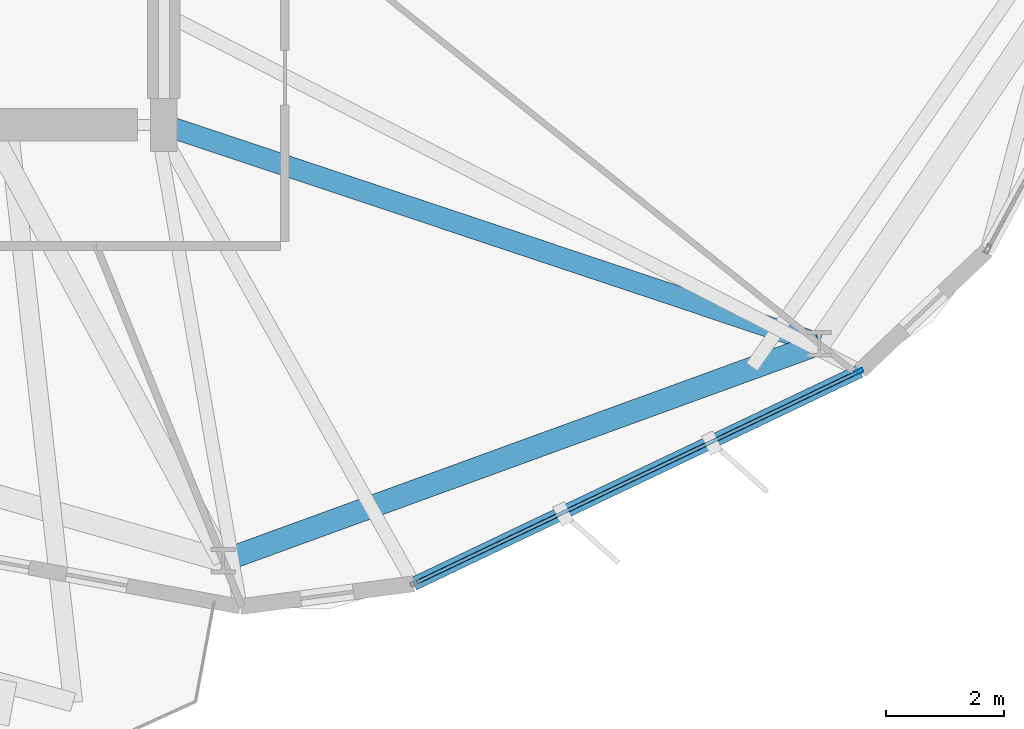
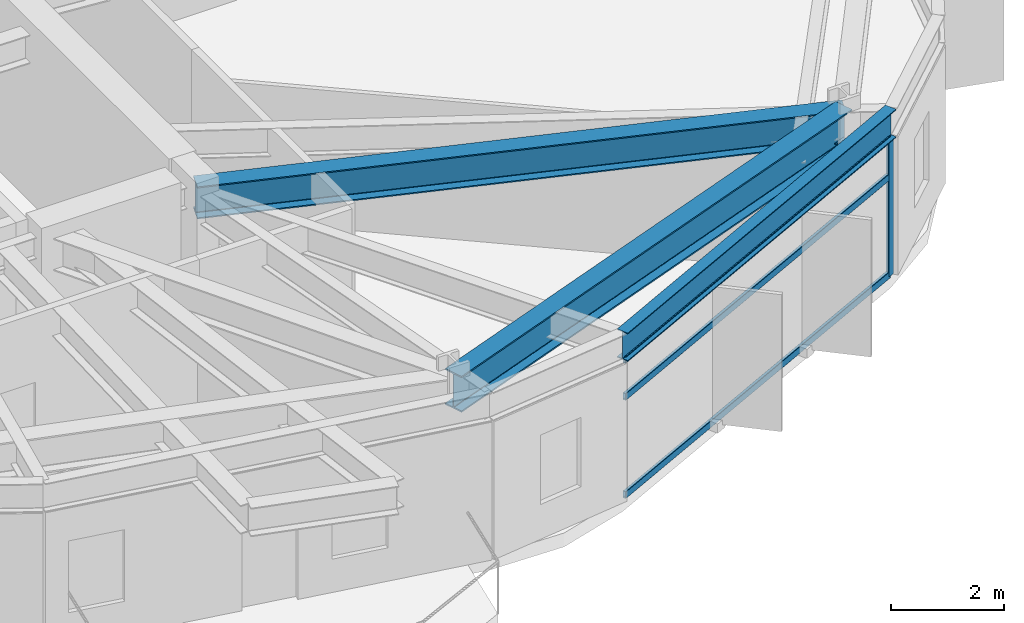
# One storey, part 6 of 25: 4 members, 3 beams, 1 element without a shape of its own.
"""IFC4 building model written with IfcOpenShell, lengths in metres."""

from ifc_helpers import new_model, si_unit, direction, frame, origin, origin_2d, place, context, subcontext, project, spatial, hollow_rectangle, i_section, extrude, material, layer, layer_set, material_profile, profile_set, type_object, element, aggregate, save


model = new_model("IFC4")

# Units and contexts
model_context = context("Model", 3, precision=1e-05, world=origin(), true_north=direction((0.0, 1.0)))
body_context = subcontext(model_context, "Body", "Model", "MODEL_VIEW")
ifc_project = project(units=[si_unit("LENGTHUNIT", "METRE"), si_unit("AREAUNIT", "SQUARE_METRE"), si_unit("VOLUMEUNIT", "CUBIC_METRE"), si_unit("PLANEANGLEUNIT", "RADIAN"), si_unit("MASSUNIT", "GRAM", prefix="KILO")], contexts=[model_context])

# Site, building, storey
site_placement = place(None, origin())
site = spatial("IfcSite", under=ifc_project, at=site_placement, CompositionType="ELEMENT")
building_placement = place(site_placement, origin())
building = spatial("IfcBuilding", under=site, at=building_placement, Name="Soratama Intermodal Tower", CompositionType="ELEMENT")
storey_placement = place(building_placement, frame((0.0, 0.0, 126.39990234375)))
storey = spatial("IfcBuildingStorey", under=building, at=storey_placement, Name="L30", CompositionType="ELEMENT", Elevation=126.39990234375)

# Beams
ifc_material_1 = material(Name="Structural steel ASTM A992 Grade 50", Category="steel")
ifc_material_profile_1 = material_profile(ifc_material_1, i_section(OverallWidth=0.35498046875, OverallDepth=0.695068359375, WebThickness=0.015380859375, FlangeThickness=0.02490234375, FilletRadius=0.01611328125, at=origin_2d()), Name="W27X146")
ifc_profile_set_1 = profile_set([ifc_material_profile_1], Name="Structural steel ASTM A992 Grade 50")
beam_type_1 = type_object("IfcBeamType", Name="BM-RING-W27X146", PredefinedType="BEAM", material=ifc_profile_set_1)
beam_1_placement = place(storey_placement, frame((44.60009765625, 15.0, 3.252685546875), z_axis=(0.948503923169, -0.316765382787, 0.0), x_axis=(0.316765382787, 0.948503923169, 0.0)))
element("IfcBeam", 1, at=beam_1_placement, inside=storey, type_object=beam_type_1, Name="BM-L30-RAD-09", PredefinedType="BEAM", context=body_context, shape_type="SweptSolid", body=[
    extrude(i_section(OverallWidth=0.35498046875, OverallDepth=0.695068359375, WebThickness=0.015380859375, FlangeThickness=0.02490234375, FilletRadius=0.01611328125, at=origin_2d()), origin(), (0.0, 0.0, 1.0), 11.715087890625),
])
ifc_material_2 = material(Name="Structural steel ASTM A992 Grade 50", Category="steel")
ifc_material_profile_2 = material_profile(ifc_material_2, i_section(OverallWidth=0.382080078125, OverallDepth=0.779052734375, WebThickness=0.01806640625, FlangeThickness=0.030029296875, FilletRadius=0.01806640625, at=origin_2d()), Name="W30X191")
ifc_profile_set_2 = profile_set([ifc_material_profile_2], Name="Structural steel ASTM A992 Grade 50")
beam_type_2 = type_object("IfcBeamType", Name="BM-RING-W30X191", PredefinedType="BEAM", material=ifc_profile_set_2)
beam_2_placement = place(storey_placement, frame((45.60693359375, 7.611083984375, 3.210693359375), z_axis=(0.939690636038, 0.342025596326, 0.0), x_axis=(-0.342025596326, 0.939690636038, 0.0)))
element("IfcBeam", 2, at=beam_2_placement, inside=storey, type_object=beam_type_2, Name="BM-L30-RING-08", PredefinedType="BEAM", context=body_context, shape_type="SweptSolid", body=[
    extrude(i_section(OverallWidth=0.382080078125, OverallDepth=0.779052734375, WebThickness=0.01806640625, FlangeThickness=0.030029296875, FilletRadius=0.01806640625, at=origin_2d()), origin(), (0.0, 0.0, 1.0), 10.75341796875),
])
ifc_material_3 = material(Name="Structural steel ASTM A992 Grade 50", Category="steel")
ifc_material_profile_3 = material_profile(ifc_material_3, i_section(OverallWidth=0.22900390625, OverallDepth=0.612060546875, WebThickness=0.011962890625, FlangeThickness=0.01953125, FilletRadius=0.012939453125, at=origin_2d()), Name="W24X84")
ifc_profile_set_3 = profile_set([ifc_material_profile_3], Name="Structural steel ASTM A992 Grade 50")
beam_type_3 = type_object("IfcBeamType", Name="BM-SPN-W24X84", PredefinedType="SPANDREL", material=ifc_profile_set_3)
beam_3_placement = place(storey_placement, frame((48.8369140625, 7.218994140625, 3.294189453125), z_axis=(0.902606292309, 0.430467049941, 0.0), x_axis=(-0.430467049941, 0.902606292309, 0.0)))
element("IfcBeam", 3, at=beam_3_placement, inside=storey, type_object=beam_type_3, Name="BS-L30-F08", PredefinedType="SPANDREL", context=body_context, shape_type="SweptSolid", body=[
    extrude(i_section(OverallWidth=0.22900390625, OverallDepth=0.612060546875, WebThickness=0.011962890625, FlangeThickness=0.01953125, FilletRadius=0.012939453125, at=origin_2d()), origin(), (0.0, 0.0, 1.0), 8.383544921875),
])

# Curtain wall, members
ifc_material_4 = material(Name="Double-glazed aluminium curtain wall", Category="aluminium")
ifc_layer = layer(ifc_material_4, 0.159912109375)
ifc_layer_set = layer_set([ifc_layer], Name="Double-glazed aluminium curtain wall")
curtain_wall_type = type_object("IfcCurtainWallType", Name="CW-SYS-3", PredefinedType="NOTDEFINED", material=ifc_layer_set)
curtain_wall_placement = place(storey_placement, origin())
curtain_wall = element("IfcCurtainWall", 4, at=curtain_wall_placement, inside=storey, type_object=curtain_wall_type, Name="L30 Faceted Curtain Wall F08", PredefinedType="NOTDEFINED")
ifc_material_5 = material(Name="Anodised aluminium AA 6063-T6", Category="aluminium")
ifc_material_profile_4 = material_profile(ifc_material_5, hollow_rectangle(XDim=0.070068359375, YDim=0.159912109375, WallThickness=0.0048828125, InnerFilletRadius=0.0048828125, OuterFilletRadius=0.010009765625, at=origin_2d()), Name="CWM160X70X5")
ifc_profile_set_4 = profile_set([ifc_material_profile_4], Name="Anodised aluminium AA 6063-T6")
member_type_1 = type_object("IfcMemberType", Name="MT-CWM-3", PredefinedType="MULLION", material=ifc_profile_set_4)
member_1_placement = place(storey_placement, frame((56.376708984375, 10.815185546875, 0.0), z_axis=(0.0, 0.0, 1.0), x_axis=(-0.430503472363, 0.902588920984, 0.0)))
member_1 = element("IfcMember", 5, at=member_1_placement, type_object=member_type_1, Name="CW-3 mullion 2", PredefinedType="MULLION", context=body_context, shape_type="SweptSolid", body=[
    extrude(hollow_rectangle(XDim=0.070068359375, YDim=0.159912109375, WallThickness=0.0048828125, InnerFilletRadius=0.0048828125, OuterFilletRadius=0.010009765625, at=origin_2d()), origin(), (0.0, 0.0, 1.0), 2.97900390625),
])
ifc_material_6 = material(Name="Anodised aluminium AA 6063-T6", Category="aluminium")
ifc_material_profile_5 = material_profile(ifc_material_6, hollow_rectangle(XDim=0.06494140625, YDim=0.14990234375, WallThickness=0.0048828125, InnerFilletRadius=0.0048828125, OuterFilletRadius=0.010009765625, at=origin_2d()), Name="CWT150X65X5")
ifc_profile_set_5 = profile_set([ifc_material_profile_5], Name="Anodised aluminium AA 6063-T6")
member_type_2 = type_object("IfcMemberType", Name="TT-CWT-1", PredefinedType="USERDEFINED", material=ifc_profile_set_5)
member_2_placement = place(storey_placement, frame((48.89111328125, 7.24462890625, 0.030029296875), z_axis=(0.902580721216, 0.430520663488, 0.0), x_axis=(-0.430520663488, 0.902580721216, 0.0)))
member_2 = element("IfcMember", 6, at=member_2_placement, type_object=member_type_2, Name="CW-3 transom 1.1", ObjectType="TRANSOM", PredefinedType="USERDEFINED", context=body_context, shape_type="SweptSolid", body=[
    extrude(hollow_rectangle(XDim=0.06494140625, YDim=0.14990234375, WallThickness=0.0048828125, InnerFilletRadius=0.0048828125, OuterFilletRadius=0.010009765625, at=origin_2d()), origin(), (0.0, 0.0, 1.0), 8.263427734375),
])
member_3_placement = place(storey_placement, frame((48.89111328125, 7.24462890625, 2.150146484375), z_axis=(0.902580721216, 0.430520663488, 0.0), x_axis=(-0.430520663488, 0.902580721216, 0.0)))
member_3 = element("IfcMember", 7, at=member_3_placement, type_object=member_type_2, Name="CW-3 transom 1.2", ObjectType="TRANSOM", PredefinedType="USERDEFINED", context=body_context, shape_type="SweptSolid", body=[
    extrude(hollow_rectangle(XDim=0.06494140625, YDim=0.14990234375, WallThickness=0.0048828125, InnerFilletRadius=0.0048828125, OuterFilletRadius=0.010009765625, at=origin_2d()), origin(), (0.0, 0.0, 1.0), 8.263427734375),
])
member_4_placement = place(storey_placement, frame((48.89111328125, 7.24462890625, 2.94921875), z_axis=(0.902580721216, 0.430520663488, 0.0), x_axis=(-0.430520663488, 0.902580721216, 0.0)))
member_4 = element("IfcMember", 8, at=member_4_placement, type_object=member_type_2, Name="CW-3 transom 1.3", ObjectType="TRANSOM", PredefinedType="USERDEFINED", context=body_context, shape_type="SweptSolid", body=[
    extrude(hollow_rectangle(XDim=0.06494140625, YDim=0.14990234375, WallThickness=0.0048828125, InnerFilletRadius=0.0048828125, OuterFilletRadius=0.010009765625, at=origin_2d()), origin(), (0.0, 0.0, 1.0), 8.263427734375),
])
aggregate(curtain_wall, [member_1, member_2, member_3, member_4])

save(model, "model.ifc")
